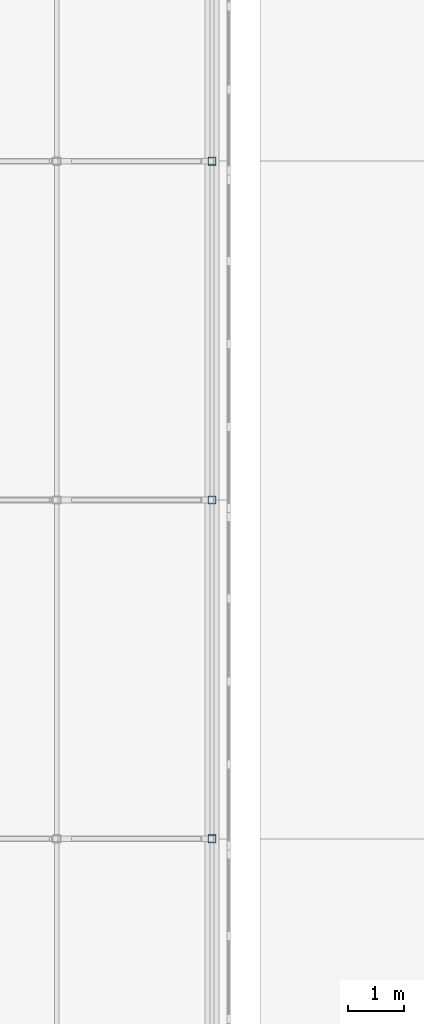
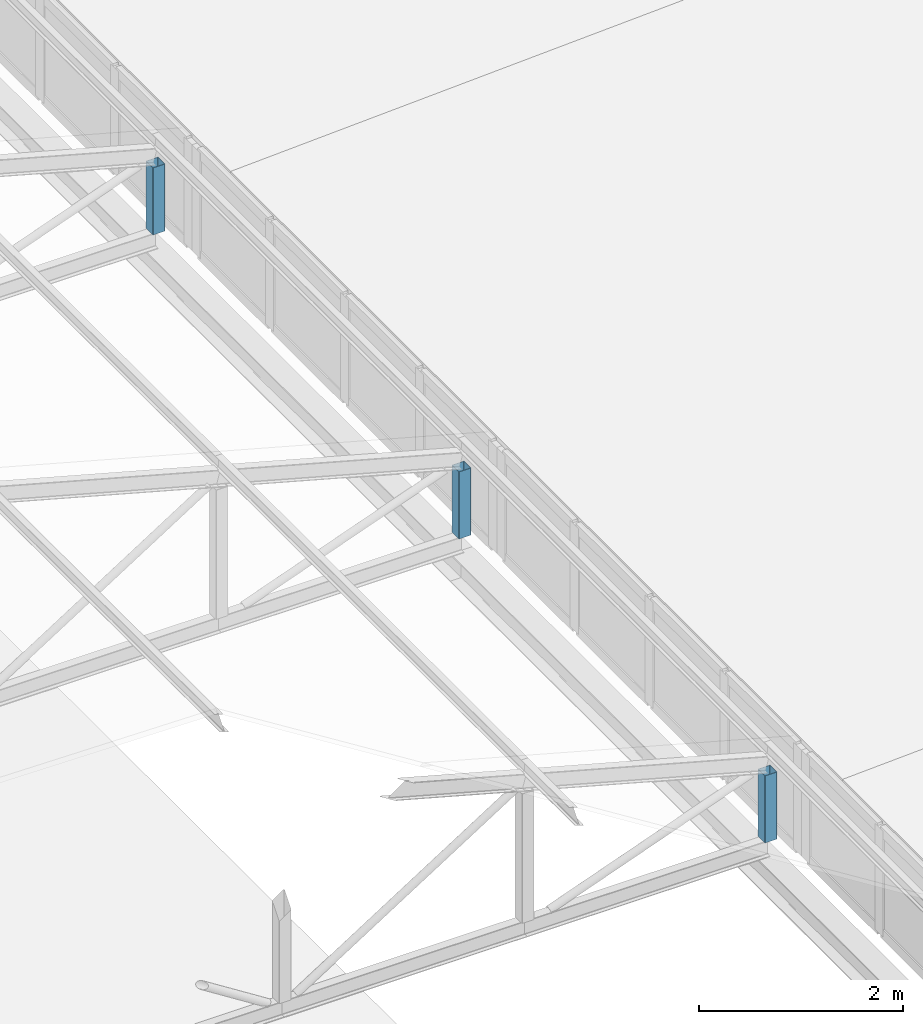
# One storey, part 74 of 94: 3 members.
"""IFC4 building model written with IfcOpenShell, lengths in metres."""

from ifc_helpers import new_model, si_unit, direction, frame, origin, origin_2d, place, context, subcontext, project, spatial, hollow_rectangle, extrude, material, material_profile, profile_set, type_object, element, save


model = new_model("IFC4")

# Units and contexts
model_context = context("Model", 3, precision=1e-05, world=origin(), true_north=direction((0.0, 1.0)))
body_context = subcontext(model_context, "Body", "Model", "MODEL_VIEW")
ifc_project = project(units=[si_unit("LENGTHUNIT", "METRE"), si_unit("AREAUNIT", "SQUARE_METRE"), si_unit("VOLUMEUNIT", "CUBIC_METRE"), si_unit("PLANEANGLEUNIT", "RADIAN"), si_unit("MASSUNIT", "GRAM", prefix="KILO")], contexts=[model_context])

# Site, building, storey
site_placement = place(None, origin())
site = spatial("IfcSite", under=ifc_project, at=site_placement, CompositionType="ELEMENT")
building_placement = place(site_placement, origin())
building = spatial("IfcBuilding", under=site, at=building_placement, Name="Lilac Gate Convention Centre", CompositionType="ELEMENT")
storey_placement = place(building_placement, frame((0.0, 0.0, 21.0)))
storey = spatial("IfcBuildingStorey", under=building, at=storey_placement, Name="L04", CompositionType="ELEMENT", Elevation=21.0)

# Members
ifc_material = material(Name="Steel Q355B", Category="steel")
ifc_material_profile = material_profile(ifc_material, hollow_rectangle(XDim=0.139892578125, YDim=0.139892578125, WallThickness=0.0048828125, InnerFilletRadius=0.0048828125, OuterFilletRadius=0.010009765625, at=origin_2d()), Name="SHS140x140x5")
ifc_profile_set = profile_set([ifc_material_profile], Name="Steel Q355B")
member_type = type_object("IfcMemberType", Name="Lantern post SHS140x140x5", PredefinedType="STRUT", material=ifc_profile_set)
for number, where, z_axis, x_axis, name in (
    (1, (28.60009765625, 174.0, 0.199951171875), (0.0, 0.0, 1.0), (1.0, 0.0, 0.0), "LV1 lantern truss 25 post 5"),
    (2, (28.60009765625, 180.0, 0.199951171875), (0.0, 0.0, 1.0), (1.0, 0.0, 0.0), "LV1 lantern truss 26 post 5"),
    (3, (28.60009765625, 186.0, 0.199951171875), (0.0, 0.0, 1.0), (1.0, 0.0, 0.0), "LV1 lantern truss 27 post 5"),
):
    element("IfcMember", number, at=place(storey_placement, frame(where, z_axis=z_axis, x_axis=x_axis)), inside=storey, type_object=member_type, Name=name, PredefinedType="STRUT", context=body_context, shape_type="SweptSolid", body=[
        extrude(hollow_rectangle(XDim=0.139892578125, YDim=0.139892578125, WallThickness=0.0048828125, InnerFilletRadius=0.0048828125, OuterFilletRadius=0.010009765625, at=origin_2d()), origin(), (0.0, 0.0, 1.0), 0.802001953125),
    ])

save(model, "model.ifc")
